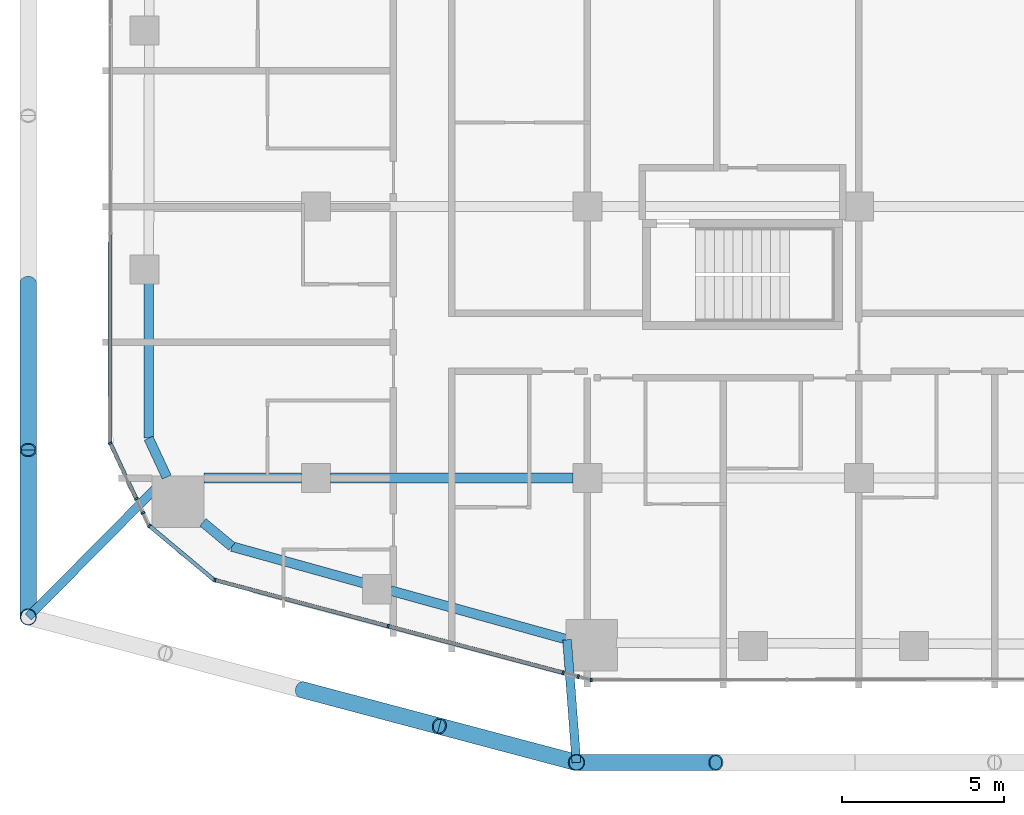
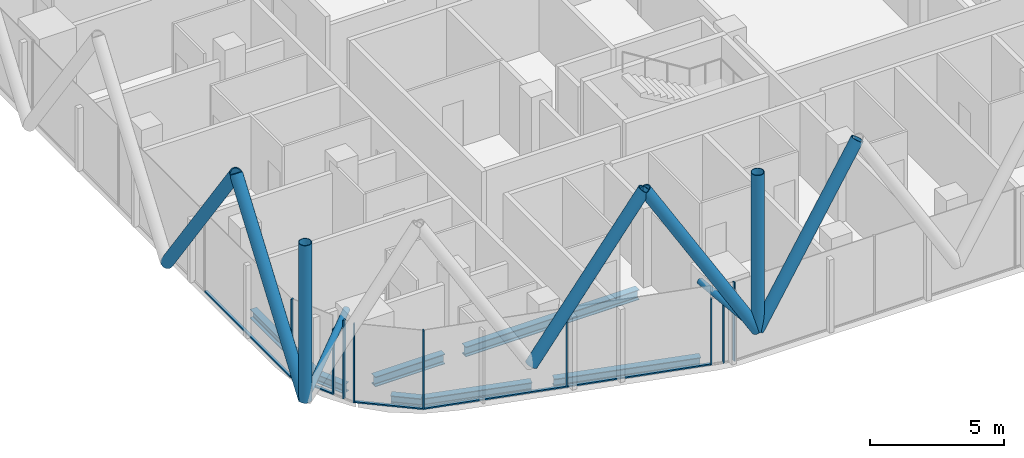
# One storey, part 2 of 33: 23 members, 7 beams, 9 elements without a shape of their own.
"""IFC4 building model written with IfcOpenShell, lengths in metres."""

from ifc_helpers import new_model, si_unit, direction, frame, origin, origin_2d, place, context, subcontext, project, spatial, rectangle, hollow_circle, i_section, extrude, material, layer, layer_set, material_profile, profile_set, type_object, element, aggregate, save


model = new_model("IFC4")

# Units and contexts
model_context = context("Model", 3, precision=1e-05, world=origin(), true_north=direction((0.0, 1.0)))
body_context = subcontext(model_context, "Body", "Model", "MODEL_VIEW")
ifc_project = project(units=[si_unit("LENGTHUNIT", "METRE"), si_unit("AREAUNIT", "SQUARE_METRE"), si_unit("VOLUMEUNIT", "CUBIC_METRE"), si_unit("PLANEANGLEUNIT", "RADIAN"), si_unit("MASSUNIT", "GRAM", prefix="KILO")], contexts=[model_context])

# Site, building, storey
site_placement = place(None, origin())
site = spatial("IfcSite", under=ifc_project, at=site_placement, CompositionType="ELEMENT")
building_placement = place(site_placement, origin())
building = spatial("IfcBuilding", under=site, at=building_placement, Name="Marenta Gate Hotel Tower", CompositionType="ELEMENT")
storey_placement = place(building_placement, frame((0.0, 0.0, 108.5)))
storey = spatial("IfcBuildingStorey", under=building, at=storey_placement, Name="L23", CompositionType="ELEMENT", Elevation=108.5)

# Members
ifc_material_1 = material(Name="Steel S355J2W", Category="steel")
ifc_material_profile_1 = material_profile(ifc_material_1, hollow_circle(Radius=0.25390625, WallThickness=0.02490234375, at=origin_2d()), Name="CHS 508x25")
ifc_profile_set_1 = profile_set([ifc_material_profile_1], Name="Steel S355J2W")
member_type_1 = type_object("IfcMemberType", Name="Diagrid corner post Z2 CHS 508x25", PredefinedType="POST", material=ifc_profile_set_1)
for number, where, z_axis, x_axis, name in (
    (1, (-12.93896484375, -25.60009765625, 3.139892578125), (0.0, 0.0, 1.0), (1.0, 0.0, 0.0), "L23-DR-4"),
    (2, (-29.89990234375, -21.10009765625, 3.139892578125), (0.0, 0.0, 1.0), (1.0, 0.0, 0.0), "L23-DR-5"),
):
    element("IfcMember", number, at=place(storey_placement, frame(where, z_axis=z_axis, x_axis=x_axis)), inside=storey, type_object=member_type_1, Name=name, PredefinedType="POST", context=body_context, shape_type="SweptSolid", body=[
        extrude(hollow_circle(Radius=0.25390625, WallThickness=0.02490234375, at=origin_2d()), origin(), (0.0, 0.0, 1.0), 7.2001953125),
    ])
ifc_material_2 = material(Name="Steel S355J2W", Category="steel")
ifc_material_profile_2 = material_profile(ifc_material_2, hollow_circle(Radius=0.25390625, WallThickness=0.0400390625, at=origin_2d()), Name="CHS 508x40")
ifc_profile_set_2 = profile_set([ifc_material_profile_2], Name="Steel S355J2W")
member_type_2 = type_object("IfcMemberType", Name="Diagrid diagonal Z2 CHS 508x40", PredefinedType="BRACE", material=ifc_profile_set_2)
member_1_placement = place(storey_placement, frame((-12.93896484375, -25.60009765625, 3.139892578125), z_axis=(0.513871079492, 0.0, 0.857867421961), x_axis=(0.0, 1.0, 0.0)))
element("IfcMember", 3, at=member_1_placement, inside=storey, type_object=member_type_2, Name="L23-DG-20", PredefinedType="BRACE", context=body_context, shape_type="SweptSolid", body=[
    extrude(hollow_circle(Radius=0.25390625, WallThickness=0.0400390625, at=origin_2d()), origin(), (0.0, 0.0, 1.0), 8.39306640625),
])
for number, where, z_axis, x_axis, name in (
    (4, (-12.93896484375, -25.60009765625, 3.139892578125), (-0.50291158245, 0.13343024942, 0.853976761263), (-0.256443187528, -0.96655930577, 0.0), "L23-DG-21"),
    (5, (-21.41943359375, -23.35009765625, 3.139892578125), (0.50291158245, -0.13343024942, 0.853976761263), (0.256443187528, 0.96655930577, 0.0), "L23-DG-22"),
):
    element("IfcMember", number, at=place(storey_placement, frame(where, z_axis=z_axis, x_axis=x_axis)), inside=storey, type_object=member_type_2, Name=name, PredefinedType="BRACE", context=body_context, shape_type="SweptSolid", body=[
        extrude(hollow_circle(Radius=0.25390625, WallThickness=0.0400390625, at=origin_2d()), origin(), (0.0, 0.0, 1.0), 8.431396484375),
    ])
member_2_placement = place(storey_placement, frame((-29.89990234375, -21.10009765625, 3.139892578125), z_axis=(0.0, 0.583247791947, 0.812294289767), x_axis=(-1.0, 0.0, 0.0)))
element("IfcMember", 6, at=member_2_placement, inside=storey, type_object=member_type_2, Name="L23-DG-25", PredefinedType="BRACE", context=body_context, shape_type="SweptSolid", body=[
    extrude(hollow_circle(Radius=0.25390625, WallThickness=0.0400390625, at=origin_2d()), origin(), (0.0, 0.0, 1.0), 8.864013671875),
])
member_3_placement = place(storey_placement, frame((-29.89990234375, -10.760009765625, 3.139892578125), z_axis=(0.0, -0.583265964901, 0.81228124082), x_axis=(1.0, 0.0, 0.0)))
element("IfcMember", 7, at=member_3_placement, inside=storey, type_object=member_type_2, Name="L23-DG-26", PredefinedType="BRACE", context=body_context, shape_type="SweptSolid", body=[
    extrude(hollow_circle(Radius=0.25390625, WallThickness=0.0400390625, at=origin_2d()), origin(), (0.0, 0.0, 1.0), 8.8642578125),
])

# Beams
ifc_material_3 = material(Name="Steel S355", Category="steel")
ifc_material_profile_3 = material_profile(ifc_material_3, i_section(OverallWidth=0.300048828125, OverallDepth=0.39990234375, WebThickness=0.013427734375, FlangeThickness=0.02392578125, FilletRadius=0.027099609375, at=origin_2d()), Name="HEB 400")
ifc_profile_set_3 = profile_set([ifc_material_profile_3], Name="Steel S355")
beam_type_1 = type_object("IfcBeamType", Name="Edge beam HEB 400", PredefinedType="SPANDREL", material=ifc_profile_set_3)
beam_1_placement = place(storey_placement, frame((-13.227783203125, -21.794677734375, -0.4599609375), z_axis=(-0.963615860477, 0.267290990189, 0.0), x_axis=(-0.267290990189, -0.963615860477, 0.0)))
element("IfcBeam", 8, at=beam_1_placement, inside=storey, type_object=beam_type_1, Name="L23-EB-1", PredefinedType="SPANDREL", context=body_context, shape_type="SweptSolid", body=[
    extrude(i_section(OverallWidth=0.300048828125, OverallDepth=0.39990234375, WebThickness=0.013427734375, FlangeThickness=0.02392578125, FilletRadius=0.027099609375, at=origin_2d()), origin(), (0.0, 0.0, 1.0), 5.674072265625),
])
beam_2_placement = place(storey_placement, frame((-19.518310546875, -20.0498046875, -0.4599609375), z_axis=(-0.963630213062, 0.267239242016, 0.0), x_axis=(-0.267239242016, -0.963630213062, 0.0)))
element("IfcBeam", 9, at=beam_2_placement, inside=storey, type_object=beam_type_1, Name="L23-EB-2", PredefinedType="SPANDREL", context=body_context, shape_type="SweptSolid", body=[
    extrude(i_section(OverallWidth=0.300048828125, OverallDepth=0.39990234375, WebThickness=0.013427734375, FlangeThickness=0.02392578125, FilletRadius=0.027099609375, at=origin_2d()), origin(), (0.0, 0.0, 1.0), 4.232666015625),
])
beam_3_placement = place(storey_placement, frame((-23.596923828125, -18.918701171875, -0.4599609375), z_axis=(-0.767073132856, 0.641559668972, 0.0), x_axis=(-0.641559668972, -0.767073132856, 0.0)))
element("IfcBeam", 10, at=beam_3_placement, inside=storey, type_object=beam_type_1, Name="L23-EB-3", PredefinedType="SPANDREL", context=body_context, shape_type="SweptSolid", body=[
    extrude(i_section(OverallWidth=0.300048828125, OverallDepth=0.39990234375, WebThickness=0.013427734375, FlangeThickness=0.02392578125, FilletRadius=0.027099609375, at=origin_2d()), origin(), (0.0, 0.0, 1.0), 1.1689453125),
])
beam_4_placement = place(storey_placement, frame((-25.613525390625, -16.769287109375, -0.4599609375), z_axis=(-0.423207780269, 0.906032656541, 0.0), x_axis=(-0.906032656541, -0.423207780269, 0.0)))
element("IfcBeam", 11, at=beam_4_placement, inside=storey, type_object=beam_type_1, Name="L23-EB-4", PredefinedType="SPANDREL", context=body_context, shape_type="SweptSolid", body=[
    extrude(i_section(OverallWidth=0.300048828125, OverallDepth=0.39990234375, WebThickness=0.013427734375, FlangeThickness=0.02392578125, FilletRadius=0.027099609375, at=origin_2d()), origin(), (0.0, 0.0, 1.0), 1.326904296875),
])
beam_5_placement = place(storey_placement, frame((-26.175048828125, -15.567138671875, -0.4599609375), z_axis=(0.001371810517, 0.999999059068, 0.0), x_axis=(-0.999999059068, 0.001371810517, 0.0)))
element("IfcBeam", 12, at=beam_5_placement, inside=storey, type_object=beam_type_1, Name="L23-EB-5", PredefinedType="SPANDREL", context=body_context, shape_type="SweptSolid", body=[
    extrude(i_section(OverallWidth=0.300048828125, OverallDepth=0.39990234375, WebThickness=0.013427734375, FlangeThickness=0.02392578125, FilletRadius=0.027099609375, at=origin_2d()), origin(), (0.0, 0.0, 1.0), 4.80517578125),
])

# Members
ifc_material_4 = material(Name="Steel S355J2W", Category="steel")
ifc_material_profile_4 = material_profile(ifc_material_4, hollow_circle(Radius=0.136474609375, WallThickness=0.012451171875, at=origin_2d()), Name="CHS 273x12.5")
ifc_profile_set_4 = profile_set([ifc_material_profile_4], Name="Steel S355J2W")
member_type_3 = type_object("IfcMemberType", Name="Floor tie CHS 273x12.5", PredefinedType="STRUT", material=ifc_profile_set_4)
member_4_placement = place(storey_placement, frame((-12.93896484375, -25.60009765625, 3.139892578125), z_axis=(-0.075691735753, 0.997131265751, 0.0), x_axis=(-0.997131265751, -0.075691735753, 0.0)))
element("IfcMember", 13, at=member_4_placement, inside=storey, type_object=member_type_3, Name="L23-DR-10", PredefinedType="STRUT", context=body_context, shape_type="SweptSolid", body=[
    extrude(hollow_circle(Radius=0.136474609375, WallThickness=0.012451171875, at=origin_2d()), origin(), (0.0, 0.0, 1.0), 3.809326171875),
])
member_5_placement = place(storey_placement, frame((-29.89990234375, -21.10009765625, 3.139892578125), z_axis=(0.703467207322, 0.710727717359, 0.0), x_axis=(-0.710727717359, 0.703467207322, 0.0)))
element("IfcMember", 14, at=member_5_placement, inside=storey, type_object=member_type_3, Name="L23-DR-11", PredefinedType="STRUT", context=body_context, shape_type="SweptSolid", body=[
    extrude(hollow_circle(Radius=0.136474609375, WallThickness=0.012451171875, at=origin_2d()), origin(), (0.0, 0.0, 1.0), 6.086181640625),
])

# Beams
ifc_material_5 = material(Name="Steel S355", Category="steel")
ifc_material_profile_5 = material_profile(ifc_material_5, i_section(OverallWidth=0.300048828125, OverallDepth=0.449951171875, WebThickness=0.013916015625, FlangeThickness=0.02587890625, FilletRadius=0.027099609375, at=origin_2d()), Name="HEB 450")
ifc_profile_set_5 = profile_set([ifc_material_profile_5], Name="Steel S355")
beam_type_2 = type_object("IfcBeamType", Name="Girder HEB 450", PredefinedType="BEAM", material=ifc_profile_set_5)
beam_6_placement = place(storey_placement, frame((-24.462890625, -16.800048828125, -0.485107421875), z_axis=(1.0, 0.0, 0.0), x_axis=(0.0, 1.0, 0.0)))
element("IfcBeam", 15, at=beam_6_placement, inside=storey, type_object=beam_type_2, Name="L23-GD-1", PredefinedType="BEAM", context=body_context, shape_type="SweptSolid", body=[
    extrude(i_section(OverallWidth=0.300048828125, OverallDepth=0.449951171875, WebThickness=0.013916015625, FlangeThickness=0.02587890625, FilletRadius=0.027099609375, at=origin_2d()), origin(), (0.0, 0.0, 1.0), 3.012939453125),
])
beam_7_placement = place(storey_placement, frame((-20.550048828125, -16.800048828125, -0.485107421875), z_axis=(1.0, 0.0, 0.0), x_axis=(0.0, 1.0, 0.0)))
element("IfcBeam", 16, at=beam_7_placement, inside=storey, type_object=beam_type_2, Name="L23-GD-2", PredefinedType="BEAM", context=body_context, shape_type="SweptSolid", body=[
    extrude(i_section(OverallWidth=0.300048828125, OverallDepth=0.449951171875, WebThickness=0.013916015625, FlangeThickness=0.02587890625, FilletRadius=0.027099609375, at=origin_2d()), origin(), (0.0, 0.0, 1.0), 7.5),
])

# Curtain wall, member
ifc_material_6 = material(Name="Tinted insulated glass in bronze anodised frame", Category="glass")
ifc_layer = layer(ifc_material_6, 0.1201171875)
ifc_layer_set = layer_set([ifc_layer], Name="Tinted insulated glass in bronze anodised frame")
curtain_wall_type = type_object("IfcCurtainWallType", Name="Tower unitised curtain wall CW1", PredefinedType="NOTDEFINED", material=ifc_layer_set)
curtain_wall_1_placement = place(storey_placement, origin())
curtain_wall_1 = element("IfcCurtainWall", 17, at=curtain_wall_1_placement, inside=storey, type_object=curtain_wall_type, Name="CW1 run G05", PredefinedType="NOTDEFINED")
ifc_material_7 = material(Name="Bronze anodised aluminium", Category="aluminium")
ifc_material_profile_6 = material_profile(ifc_material_7, rectangle(XDim=0.1201171875, YDim=0.06005859375, at=origin_2d()), Name="Mullion CW1 60x120 bronze anodised aluminium")
ifc_profile_set_6 = profile_set([ifc_material_profile_6], Name="Bronze anodised aluminium")
member_type_4 = type_object("IfcMemberType", Name="Mullion CW1 60x120 bronze anodised aluminium", PredefinedType="MULLION", material=ifc_profile_set_6)
member_6_placement = place(storey_placement, frame((-27.3603515625, -15.720947265625, 0.0), z_axis=(0.0, 0.0, 1.0), x_axis=(0.90596765607, 0.423346909938, 0.0)))
member_6 = element("IfcMember", 18, at=member_6_placement, type_object=member_type_4, Name="CW1 mullion 1", PredefinedType="MULLION", context=body_context, shape_type="SweptSolid", body=[
    extrude(rectangle(XDim=0.1201171875, YDim=0.06005859375, at=origin_2d()), origin(), (0.0, 0.0, 1.0), 3.60009765625),
])

curtain_wall_2_placement = place(storey_placement, origin())
curtain_wall_2 = element("IfcCurtainWall", 19, at=curtain_wall_2_placement, inside=storey, type_object=curtain_wall_type, Name="CW1 run G06", PredefinedType="NOTDEFINED")
member_7_placement = place(storey_placement, frame((-26.556884765625, -17.4404296875, 0.0), z_axis=(0.0, 0.0, 1.0), x_axis=(0.905960772222, 0.423361641148, 0.0)))
member_7 = element("IfcMember", 20, at=member_7_placement, type_object=member_type_4, Name="CW1 mullion 1", PredefinedType="MULLION", context=body_context, shape_type="SweptSolid", body=[
    extrude(rectangle(XDim=0.1201171875, YDim=0.06005859375, at=origin_2d()), origin(), (0.0, 0.0, 1.0), 3.00048828125),
])
aggregate(curtain_wall_2, [member_7])

curtain_wall_3_placement = place(storey_placement, origin())
curtain_wall_3 = element("IfcCurtainWall", 21, at=curtain_wall_3_placement, inside=storey, type_object=curtain_wall_type, Name="CW1 run G07", PredefinedType="NOTDEFINED")
member_8_placement = place(storey_placement, frame((-26.352294921875, -17.8779296875, 0.0), z_axis=(0.0, 0.0, 1.0), x_axis=(0.906001027936, 0.42327548639, 0.0)))
member_8 = element("IfcMember", 22, at=member_8_placement, type_object=member_type_4, Name="CW1 mullion 1", PredefinedType="MULLION", context=body_context, shape_type="SweptSolid", body=[
    extrude(rectangle(XDim=0.1201171875, YDim=0.06005859375, at=origin_2d()), origin(), (0.0, 0.0, 1.0), 3.60009765625),
])
aggregate(curtain_wall_3, [member_8])

curtain_wall_4_placement = place(storey_placement, origin())
curtain_wall_4 = element("IfcCurtainWall", 23, at=curtain_wall_4_placement, inside=storey, type_object=curtain_wall_type, Name="CW1 run G08", PredefinedType="NOTDEFINED")
member_9_placement = place(storey_placement, frame((-26.152099609375, -18.27685546875, 0.0), z_axis=(0.0, 0.0, 1.0), x_axis=(0.641512168126, 0.767112858807, 0.0)))
member_9 = element("IfcMember", 24, at=member_9_placement, type_object=member_type_4, Name="CW1 mullion 1", PredefinedType="MULLION", context=body_context, shape_type="SweptSolid", body=[
    extrude(rectangle(XDim=0.1201171875, YDim=0.06005859375, at=origin_2d()), origin(), (0.0, 0.0, 1.0), 3.60009765625),
])

# Curtain wall, members
curtain_wall_5_placement = place(storey_placement, origin())
curtain_wall_5 = element("IfcCurtainWall", 25, at=curtain_wall_5_placement, inside=storey, type_object=curtain_wall_type, Name="CW1 run G09", PredefinedType="NOTDEFINED")
member_10_placement = place(storey_placement, frame((-24.12451171875, -19.955810546875, 0.0), z_axis=(0.0, 0.0, 1.0), x_axis=(0.257143521209, 0.966373224743, 0.0)))
member_10 = element("IfcMember", 26, at=member_10_placement, type_object=member_type_4, Name="CW1 mullion 1", PredefinedType="MULLION", context=body_context, shape_type="SweptSolid", body=[
    extrude(rectangle(XDim=0.1201171875, YDim=0.06005859375, at=origin_2d()), origin(), (0.0, 0.0, 1.0), 3.60009765625),
])
member_11_placement = place(storey_placement, frame((-18.765380859375, -21.3818359375, 0.0), z_axis=(0.0, 0.0, 1.0), x_axis=(0.257143521209, 0.966373224743, 0.0)))
member_11 = element("IfcMember", 27, at=member_11_placement, type_object=member_type_4, Name="CW1 mullion 2", PredefinedType="MULLION", context=body_context, shape_type="SweptSolid", body=[
    extrude(rectangle(XDim=0.1201171875, YDim=0.06005859375, at=origin_2d()), origin(), (0.0, 0.0, 1.0), 3.60009765625),
])

# Curtain wall, member
curtain_wall_6_placement = place(storey_placement, origin())
curtain_wall_6 = element("IfcCurtainWall", 28, at=curtain_wall_6_placement, inside=storey, type_object=curtain_wall_type, Name="CW1 run G10", PredefinedType="NOTDEFINED")
member_12_placement = place(storey_placement, frame((-13.348388671875, -22.8232421875, 0.0), z_axis=(0.0, 0.0, 1.0), x_axis=(0.257026845764, 0.966404263523, 0.0)))
member_12 = element("IfcMember", 29, at=member_12_placement, type_object=member_type_4, Name="CW1 mullion 1", PredefinedType="MULLION", context=body_context, shape_type="SweptSolid", body=[
    extrude(rectangle(XDim=0.1201171875, YDim=0.06005859375, at=origin_2d()), origin(), (0.0, 0.0, 1.0), 3.00048828125),
])
aggregate(curtain_wall_6, [member_12])

curtain_wall_7_placement = place(storey_placement, origin())
curtain_wall_7 = element("IfcCurtainWall", 30, at=curtain_wall_7_placement, inside=storey, type_object=curtain_wall_type, Name="CW1 run G11", PredefinedType="NOTDEFINED")
member_13_placement = place(storey_placement, frame((-12.884765625, -22.946533203125, 0.0), z_axis=(0.0, 0.0, 1.0), x_axis=(0.257279256414, 0.966337096576, 0.0)))
member_13 = element("IfcMember", 31, at=member_13_placement, type_object=member_type_4, Name="CW1 mullion 1", PredefinedType="MULLION", context=body_context, shape_type="SweptSolid", body=[
    extrude(rectangle(XDim=0.1201171875, YDim=0.06005859375, at=origin_2d()), origin(), (0.0, 0.0, 1.0), 3.60009765625),
])
aggregate(curtain_wall_7, [member_13])

curtain_wall_8_placement = place(storey_placement, origin())
curtain_wall_8 = element("IfcCurtainWall", 32, at=curtain_wall_8_placement, inside=storey, type_object=curtain_wall_type, Name="CW1 run G12", PredefinedType="NOTDEFINED")
member_14_placement = place(storey_placement, frame((-12.475830078125, -23.04736328125, 0.0), z_axis=(0.0, 0.0, 1.0), x_axis=(-0.00136470383, 0.999999068791, 0.0)))
member_14 = element("IfcMember", 33, at=member_14_placement, type_object=member_type_4, Name="CW1 mullion 1", PredefinedType="MULLION", context=body_context, shape_type="SweptSolid", body=[
    extrude(rectangle(XDim=0.1201171875, YDim=0.06005859375, at=origin_2d()), origin(), (0.0, 0.0, 1.0), 3.60009765625),
])
aggregate(curtain_wall_8, [member_14])

curtain_wall_9_placement = place(storey_placement, origin())
curtain_wall_9 = element("IfcCurtainWall", 34, at=curtain_wall_9_placement, inside=storey, type_object=curtain_wall_type, Name="CW1 run G04", PredefinedType="NOTDEFINED")
ifc_material_8 = material(Name="Bronze anodised aluminium", Category="aluminium")
ifc_material_profile_7 = material_profile(ifc_material_8, rectangle(XDim=0.1201171875, YDim=0.06005859375, at=origin_2d()), Name="Transom CW1 60x120 bronze anodised aluminium")
ifc_profile_set_7 = profile_set([ifc_material_profile_7], Name="Bronze anodised aluminium")
member_type_5 = type_object("IfcMemberType", Name="Transom CW1 60x120 bronze anodised aluminium", PredefinedType="USERDEFINED", material=ifc_profile_set_7)
member_15_placement = place(storey_placement, frame((-27.363037109375, -9.263916015625, 0.030029296875), z_axis=(-0.001556743377, -0.999998788274, 0.0), x_axis=(0.999998788274, -0.001556743377, 0.0)))
member_15 = element("IfcMember", 35, at=member_15_placement, type_object=member_type_5, Name="CW1 transom 6.1", ObjectType="TRANSOM", PredefinedType="USERDEFINED", context=body_context, shape_type="SweptSolid", body=[
    extrude(rectangle(XDim=0.1201171875, YDim=0.06005859375, at=origin_2d()), origin(), (0.0, 0.0, 1.0), 6.429931640625),
])
aggregate(curtain_wall_9, [member_15])

# Member
member_16_placement = place(storey_placement, frame((-27.34765625, -15.748046875, 0.030029296875), z_axis=(0.423307157051, -0.905986231015, 0.0), x_axis=(0.905986231015, 0.423307157051, 0.0)))
member_16 = element("IfcMember", 36, at=member_16_placement, type_object=member_type_5, Name="CW1 transom 1.1", ObjectType="TRANSOM", PredefinedType="USERDEFINED", context=body_context, shape_type="SweptSolid", body=[
    extrude(rectangle(XDim=0.1201171875, YDim=0.06005859375, at=origin_2d()), origin(), (0.0, 0.0, 1.0), 1.838134765625),
])

aggregate(curtain_wall_1, [member_6, member_16])

member_17_placement = place(storey_placement, frame((-26.12890625, -18.296142578125, 0.030029296875), z_axis=(0.767116735682, -0.641507532175, 0.0), x_axis=(0.641507532175, 0.767116735682, 0.0)))
member_17 = element("IfcMember", 37, at=member_17_placement, type_object=member_type_5, Name="CW1 transom 1.1", ObjectType="TRANSOM", PredefinedType="USERDEFINED", context=body_context, shape_type="SweptSolid", body=[
    extrude(rectangle(XDim=0.1201171875, YDim=0.06005859375, at=origin_2d()), origin(), (0.0, 0.0, 1.0), 2.575439453125),
])

aggregate(curtain_wall_4, [member_9, member_17])

member_18_placement = place(storey_placement, frame((-24.095458984375, -19.963623046875, 0.030029296875), z_axis=(0.966369250889, -0.257158454918, 0.0), x_axis=(0.257158454918, 0.966369250889, 0.0)))
member_18 = element("IfcMember", 38, at=member_18_placement, type_object=member_type_5, Name="CW1 transom 1.1", ObjectType="TRANSOM", PredefinedType="USERDEFINED", context=body_context, shape_type="SweptSolid", body=[
    extrude(rectangle(XDim=0.1201171875, YDim=0.06005859375, at=origin_2d()), origin(), (0.0, 0.0, 1.0), 5.485595703125),
])

member_19_placement = place(storey_placement, frame((-18.736328125, -21.3896484375, 0.030029296875), z_axis=(0.966369990087, -0.257155677089, 0.0), x_axis=(0.257155677089, 0.966369990087, 0.0)))
member_19 = element("IfcMember", 39, at=member_19_placement, type_object=member_type_5, Name="CW1 transom 2.1", ObjectType="TRANSOM", PredefinedType="USERDEFINED", context=body_context, shape_type="SweptSolid", body=[
    extrude(rectangle(XDim=0.1201171875, YDim=0.06005859375, at=origin_2d()), origin(), (0.0, 0.0, 1.0), 5.54541015625),
])

aggregate(curtain_wall_5, [member_10, member_11, member_18, member_19])

save(model, "model.ifc")
